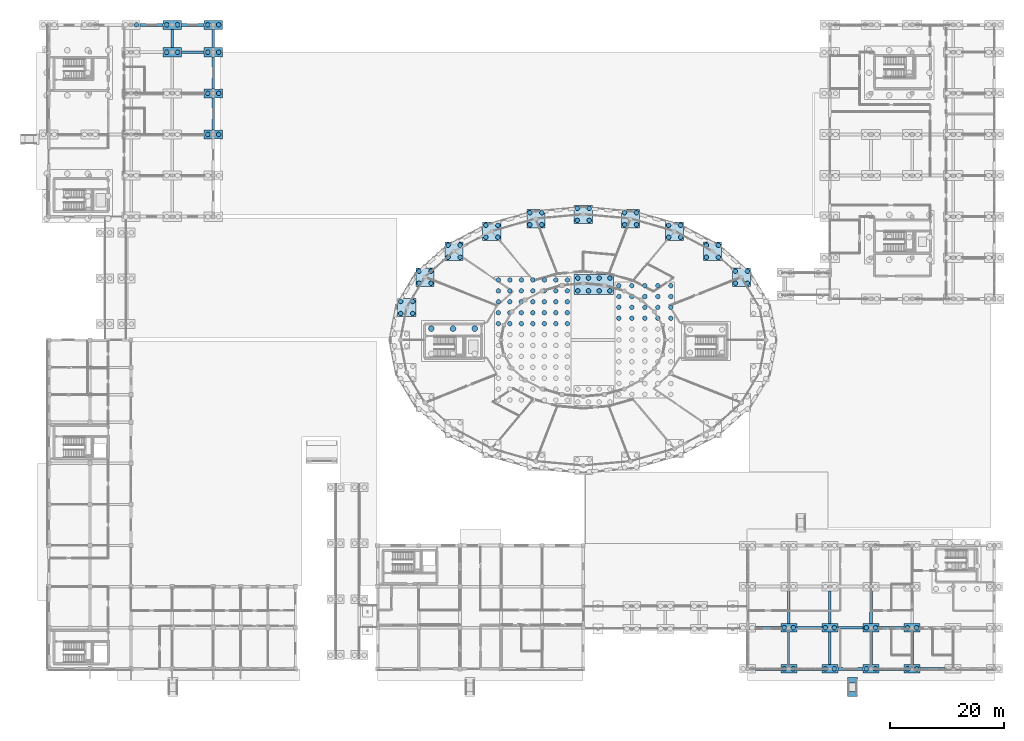
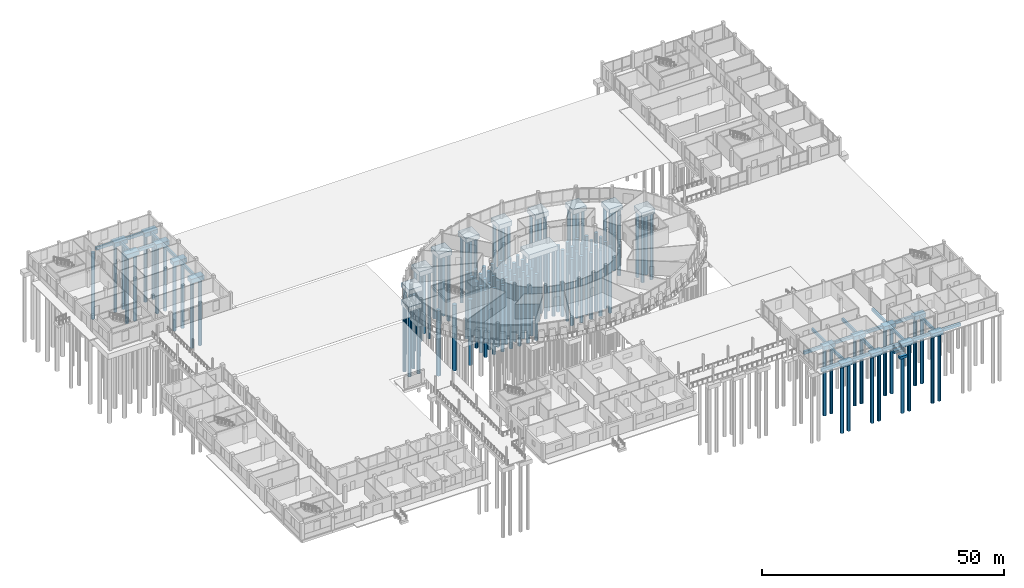
# One storey, part 3 of 98: 135 piles, 50 footings.
"""IFC4 building model written with IfcOpenShell, lengths in metres."""

import ifcopenshell
import ifcopenshell.guid

model = None  # the IFC model being written
_history = None  # IfcOwnerHistory: only IFC2X3 demands one
_inside = {}  # id of a spatial element -> (the spatial element, [elements in it])
_under = {}  # id of a project, library or spatial element -> (it, [spatial elements below it])
_declared = {}  # id of a project -> (the project, [libraries it declares])
_typed = {}  # id of a type object -> (the type object, [elements of that type])
_made_of = {}  # id of a material, layer set ... -> (it, [elements and type objects made of it])


def new_model(schema):
    """Start an empty IFC model of exactly this schema.

    Asked for "IFC4X3", IfcOpenShell would pick the latest addendum, in which some entities
    have other attributes; the version numbers below select the first issue.
    IFC2X3 requires an IfcOwnerHistory on every rooted entity: one is made here for all.
    """
    global model, _history
    if schema == "IFC4X3":
        model = ifcopenshell.file(schema_version=(4, 3, 0, 0))
    else:
        model = ifcopenshell.file(schema=schema)
    _inside.clear()
    _under.clear()
    _declared.clear()
    _typed.clear()
    _made_of.clear()
    _history = None
    if model.schema == "IFC2X3":
        org = make("IfcOrganization", Name="unknown")
        user = make(
            "IfcPersonAndOrganization",
            ThePerson=make("IfcPerson", FamilyName="unknown"),
            TheOrganization=org,
        )
        app = make(
            "IfcApplication",
            ApplicationDeveloper=org,
            Version="unknown",
            ApplicationFullName="unknown",
            ApplicationIdentifier="unknown",
        )
        _history = make(
            "IfcOwnerHistory",
            OwningUser=user,
            OwningApplication=app,
            ChangeAction="ADDED",
            CreationDate=0,
        )
    return model


def make(cls, **values):
    """One entity of the class cls with the attributes given. An attribute that is None is left unset."""
    return model.create_entity(
        cls, **{name: value for name, value in values.items() if value is not None}
    )


def rooted(cls, **values):
    """An entity with a GlobalId (a new one), such as an element, a storey or a relation."""
    return make(cls, GlobalId=ifcopenshell.guid.new(), OwnerHistory=_history, **values)


def si_unit(unit_type, name, prefix=None):
    """IfcSIUnit, for example si_unit("LENGTHUNIT", "METRE", prefix="MILLI")."""
    return make("IfcSIUnit", UnitType=unit_type, Prefix=prefix, Name=name)


def assignment(units):
    """IfcUnitAssignment: the units of a project."""
    return None if units is None else make("IfcUnitAssignment", Units=units)


def point(xyz):
    """IfcCartesianPoint."""
    return None if xyz is None else make("IfcCartesianPoint", Coordinates=xyz)


def direction(xyz):
    """IfcDirection."""
    return None if xyz is None else make("IfcDirection", DirectionRatios=xyz)


def frame(location, z_axis=None, x_axis=None):
    """IfcAxis2Placement3D, a coordinate frame: its origin and axes. An axis left out is left unset."""
    return make(
        "IfcAxis2Placement3D",
        Location=point(location),
        Axis=direction(z_axis),
        RefDirection=direction(x_axis),
    )


def frame_2d(location, x_axis=None):
    """IfcAxis2Placement2D, a coordinate frame in the plane: its origin and x axis."""
    return make(
        "IfcAxis2Placement2D", Location=point(location), RefDirection=direction(x_axis)
    )


def origin():
    """The frame at (0, 0, 0) with its axes left unset."""
    return frame((0.0, 0.0, 0.0))


def origin_2d():
    """The frame at (0, 0) in the plane with its x axis left unset."""
    return frame_2d((0.0, 0.0))


def place(relative_to, where):
    """IfcLocalPlacement: puts the frame where relative to a parent placement (None: the world)."""
    return make(
        "IfcLocalPlacement", PlacementRelTo=relative_to, RelativePlacement=where
    )


def context(
    kind, dimensions, precision=None, world=None, true_north=None, identifier=None
):
    """IfcGeometricRepresentationContext, for example the 3D "Model" context."""
    return make(
        "IfcGeometricRepresentationContext",
        ContextIdentifier=identifier,
        ContextType=kind,
        CoordinateSpaceDimension=dimensions,
        Precision=precision,
        WorldCoordinateSystem=world,
        TrueNorth=true_north,
    )


def subcontext(parent, identifier, kind, view, scale=None):
    """IfcGeometricRepresentationSubContext, for example "Body" below "Model"."""
    return make(
        "IfcGeometricRepresentationSubContext",
        ContextIdentifier=identifier,
        ContextType=kind,
        ParentContext=parent,
        TargetScale=scale,
        TargetView=view,
    )


def project(units=None, contexts=None):
    """IfcProject with its units and contexts."""
    return rooted(
        "IfcProject",
        Name="project",
        RepresentationContexts=contexts,
        UnitsInContext=assignment(units),
    )


def spatial(cls, under=None, at=None, **own):
    """A site, building, storey or space (cls), placed at a placement, below another one or the project."""
    s = rooted(cls, ObjectPlacement=at, **own)
    if under is not None:
        _under.setdefault(under.id(), (under, []))[1].append(s)
    return s


def profile(cls, at=None, kind="AREA", **sizes):
    """A parametric profile (cls). Its sizes go by their IFC names, for example OverallWidth=200.0."""
    return make(cls, ProfileType=kind, Position=at, **sizes)


def rectangle(**sizes):
    """IfcRectangleProfileDef."""
    return profile("IfcRectangleProfileDef", **sizes)


def circle(**sizes):
    """IfcCircleProfileDef."""
    return profile("IfcCircleProfileDef", **sizes)


def extrude(swept, where, along, depth):
    """IfcExtrudedAreaSolid: the profile swept, set in the frame where, extruded along a direction by depth."""
    return make(
        "IfcExtrudedAreaSolid",
        SweptArea=swept,
        Position=where,
        ExtrudedDirection=direction(along),
        Depth=depth,
    )


def shape(context_of_items, identifier, shape_type, items):
    """IfcShapeRepresentation: the items that make up one representation, for example the "Body"."""
    return make(
        "IfcShapeRepresentation",
        ContextOfItems=context_of_items,
        RepresentationIdentifier=identifier,
        RepresentationType=shape_type,
        Items=items,
    )


def material(Name=None, Category=None):
    """IfcMaterial."""
    return make("IfcMaterial", Name=Name, Category=Category)


def material_profile(
    of_material, cross_section, Name=None, Category=None, Priority=None
):
    """IfcMaterialProfile: a cross section and its material."""
    return make(
        "IfcMaterialProfile",
        Name=Name,
        Material=of_material,
        Profile=cross_section,
        Priority=Priority,
        Category=Category,
    )


def profile_set(profiles, Name=None, composite=None):
    """IfcMaterialProfileSet."""
    return make(
        "IfcMaterialProfileSet",
        Name=Name,
        MaterialProfiles=profiles,
        CompositeProfile=composite,
    )


def made_of(thing, what):
    """Note that an element or type object is made of a material, layer set ...; save() writes the relation."""
    if what is not None:
        _made_of.setdefault(what.id(), (what, []))[1].append(thing)
    return thing


def type_object(cls, material=None, **own):
    """A type object (cls), such as IfcWallType, which elements share."""
    return made_of(rooted(cls, **own), material)


def element(
    cls,
    number,
    at=None,
    inside=None,
    cuts=None,
    type_object=None,
    material=None,
    context=None,
    identifier="Body",
    shape_type=None,
    held_by="IfcProductDefinitionShape",
    body=None,
    shapes=None,
    **own,
):
    """One element of the class cls, such as IfcWall. Its Tag is "e" and its number.

    at: its placement. inside: the storey or other place that contains it. cuts: it is an
    opening in that element (IfcRelVoidsElement). A single representation is given by context,
    identifier, shape_type and body (its items); several are given by shapes. held_by: the class
    of the entity that holds the representations. save() writes the other relations.
    """
    e = rooted(cls, Tag="e%d" % number, ObjectPlacement=at, **own)
    if body is not None:
        shapes = [shape(context, identifier, shape_type, body)]
    if shapes is not None:
        e.Representation = make(held_by, Representations=shapes)
    if inside is not None:
        _inside.setdefault(inside.id(), (inside, []))[1].append(e)
    if cuts is not None:
        rooted(
            "IfcRelVoidsElement", RelatingBuildingElement=cuts, RelatedOpeningElement=e
        )
    if type_object is not None:
        _typed.setdefault(type_object.id(), (type_object, []))[1].append(e)
    return made_of(e, material)


def aggregate(whole, parts):
    """IfcRelAggregates: a whole, such as a stair, and the parts it consists of."""
    return rooted("IfcRelAggregates", RelatingObject=whole, RelatedObjects=parts)


def save(model, path):
    """Write the relations noted so far, then the file.

    IfcRelAggregates (storeys below a building ...), IfcRelContainedInSpatialStructure (elements
    in a storey), IfcRelDefinesByType, IfcRelAssociatesMaterial and IfcRelDeclares: one each for
    every whole, place, type object, material and project.
    """
    for whole, parts in _under.values():
        aggregate(whole, parts)
    for where, things in _inside.values():
        rooted(
            "IfcRelContainedInSpatialStructure",
            RelatedElements=things,
            RelatingStructure=where,
        )
    for kind, things in _typed.values():
        rooted("IfcRelDefinesByType", RelatedObjects=things, RelatingType=kind)
    for what, things in _made_of.values():
        rooted("IfcRelAssociatesMaterial", RelatedObjects=things, RelatingMaterial=what)
    for by, libraries in _declared.values():
        rooted("IfcRelDeclares", RelatingContext=by, RelatedDefinitions=libraries)
    model.write(path)


model = new_model("IFC4")

# Units and contexts
model_context = context("Model", 3, precision=1e-05, world=origin(), true_north=direction((0.0, 1.0)))
body_context = subcontext(model_context, "Body", "Model", "MODEL_VIEW")
ifc_project = project(units=[si_unit("LENGTHUNIT", "METRE"), si_unit("AREAUNIT", "SQUARE_METRE"), si_unit("VOLUMEUNIT", "CUBIC_METRE"), si_unit("PLANEANGLEUNIT", "RADIAN"), si_unit("MASSUNIT", "GRAM", prefix="KILO")], contexts=[model_context])

# Site, building, storey
site_placement = place(None, origin())
site = spatial("IfcSite", under=ifc_project, at=site_placement, CompositionType="ELEMENT")
building_placement = place(site_placement, origin())
building = spatial("IfcBuilding", under=site, at=building_placement, Name="Zornivar Specialist Clinic", CompositionType="ELEMENT")
storey_placement = place(building_placement, origin())
storey = spatial("IfcBuildingStorey", under=building, at=storey_placement, Name="L00", CompositionType="ELEMENT", Elevation=0.0)

# Footings
ifc_material_1 = material(Name="Concrete C30/37", Category="concrete")
ifc_material_profile_1 = material_profile(ifc_material_1, rectangle(XDim=0.449951171875, YDim=0.699951171875, at=origin_2d()), Name="RC 450x700")
ifc_profile_set_1 = profile_set([ifc_material_profile_1], Name="Concrete C30/37")
footing_type_1 = type_object("IfcFootingType", Name="FTG-GB-450x700", PredefinedType="FOOTING_BEAM", material=ifc_profile_set_1)
footing_1_placement = place(storey_placement, frame((21.60009765625, 108.800048828125, -0.72998046875), z_axis=(0.0, 1.0, 0.0), x_axis=(-1.0, 0.0, 0.0)))
element("IfcFooting", 1, at=footing_1_placement, inside=storey, type_object=footing_type_1, Name="gb:L00:y:216:1088", PredefinedType="FOOTING_BEAM", context=body_context, shape_type="SweptSolid", body=[
    extrude(rectangle(XDim=0.449951171875, YDim=0.699951171875, at=origin_2d()), origin(), (0.0, 0.0, 1.0), 3.199951171875),
])
footing_2_placement = place(storey_placement, frame((28.800048828125, 94.39990234375, -0.72998046875), z_axis=(0.0, 1.0, 0.0), x_axis=(-1.0, 0.0, 0.0)))
element("IfcFooting", 2, at=footing_2_placement, inside=storey, type_object=footing_type_1, Name="gb:L00:y:288:944", PredefinedType="FOOTING_BEAM", context=body_context, shape_type="SweptSolid", body=[
    extrude(rectangle(XDim=0.449951171875, YDim=0.699951171875, at=origin_2d()), origin(), (0.0, 0.0, 1.0), 5.60009765625),
])
footing_3_placement = place(storey_placement, frame((28.800048828125, 101.60009765625, -0.72998046875), z_axis=(0.0, 1.0, 0.0), x_axis=(-1.0, 0.0, 0.0)))
element("IfcFooting", 3, at=footing_3_placement, inside=storey, type_object=footing_type_1, Name="gb:L00:y:288:1016", PredefinedType="FOOTING_BEAM", context=body_context, shape_type="SweptSolid", body=[
    extrude(rectangle(XDim=0.449951171875, YDim=0.699951171875, at=origin_2d()), origin(), (0.0, 0.0, 1.0), 5.599853515625),
])
footing_4_placement = place(storey_placement, frame((28.800048828125, 108.800048828125, -0.72998046875), z_axis=(0.0, 1.0, 0.0), x_axis=(-1.0, 0.0, 0.0)))
element("IfcFooting", 4, at=footing_4_placement, inside=storey, type_object=footing_type_1, Name="gb:L00:y:288:1088", PredefinedType="FOOTING_BEAM", context=body_context, shape_type="SweptSolid", body=[
    extrude(rectangle(XDim=0.449951171875, YDim=0.699951171875, at=origin_2d()), origin(), (0.0, 0.0, 1.0), 3.199951171875),
])
for number, where, z_axis, x_axis, name in (
    (5, (129.60009765625, 0.75, -0.699951171875), (0.0, 1.0, 0.0), (-1.0, 0.0, 0.0), "gb:L00:y:1296:8"),
    (6, (129.60009765625, 7.949951171875, -0.699951171875), (0.0, 1.0, 0.0), (-1.0, 0.0, 0.0), "gb:L00:y:1296:80"),
    (7, (136.800048828125, 0.75, -0.699951171875), (0.0, 1.0, 0.0), (-1.0, 0.0, 0.0), "gb:L00:y:1368:8"),
    (8, (136.800048828125, 7.949951171875, -0.699951171875), (0.0, 1.0, 0.0), (-1.0, 0.0, 0.0), "gb:L00:y:1368:80"),
    (9, (144.0, 0.75, -0.699951171875), (0.0, 1.0, 0.0), (-1.0, 0.0, 0.0), "gb:L00:y:1440:8"),
    (10, (144.0, 7.949951171875, -0.699951171875), (0.0, 1.0, 0.0), (-1.0, 0.0, 0.0), "gb:L00:y:1440:80"),
    (11, (151.199951171875, 0.75, -0.699951171875), (0.0, 1.0, 0.0), (-1.0, 0.0, 0.0), "gb:L00:y:1512:8"),
):
    element("IfcFooting", number, at=place(storey_placement, frame(where, z_axis=z_axis, x_axis=x_axis)), inside=storey, type_object=footing_type_1, Name=name, PredefinedType="FOOTING_BEAM", context=body_context, shape_type="SweptSolid", body=[
        extrude(rectangle(XDim=0.449951171875, YDim=0.699951171875, at=origin_2d()), origin(), (0.0, 0.0, 1.0), 5.699951171875),
    ])
ifc_material_2 = material(Name="Concrete C30/37", Category="concrete")
ifc_material_profile_2 = material_profile(ifc_material_2, rectangle(XDim=0.5, YDim=0.75, at=origin_2d()), Name="RC 500x750")
ifc_profile_set_2 = profile_set([ifc_material_profile_2], Name="Concrete C30/37")
footing_type_2 = type_object("IfcFootingType", Name="FTG-GB-500x750", PredefinedType="FOOTING_BEAM", material=ifc_profile_set_2)
for number, where, z_axis, x_axis, name in (
    (12, (123.800048828125, 0.0, -0.72509765625), (1.0, 0.0, 0.0), (0.0, 1.0, 0.0), "gb:L00:x:0:1238"),
    (13, (131.0, 0.0, -0.72509765625), (1.0, 0.0, 0.0), (0.0, 1.0, 0.0), "gb:L00:x:0:1310"),
):
    element("IfcFooting", number, at=place(storey_placement, frame(where, z_axis=z_axis, x_axis=x_axis)), inside=storey, type_object=footing_type_2, Name=name, PredefinedType="FOOTING_BEAM", context=body_context, shape_type="SweptSolid", body=[
        extrude(rectangle(XDim=0.5, YDim=0.75, at=origin_2d()), origin(), (0.0, 0.0, 1.0), 4.39990234375),
    ])
for number, where, z_axis, x_axis, name in (
    (14, (138.199951171875, 0.0, -0.72509765625), (1.0, 0.0, 0.0), (0.0, 1.0, 0.0), "gb:L00:x:0:1382"),
    (15, (145.39990234375, 0.0, -0.72509765625), (1.0, 0.0, 0.0), (0.0, 1.0, 0.0), "gb:L00:x:0:1454"),
):
    element("IfcFooting", number, at=place(storey_placement, frame(where, z_axis=z_axis, x_axis=x_axis)), inside=storey, type_object=footing_type_2, Name=name, PredefinedType="FOOTING_BEAM", context=body_context, shape_type="SweptSolid", body=[
        extrude(rectangle(XDim=0.5, YDim=0.75, at=origin_2d()), origin(), (0.0, 0.0, 1.0), 4.400146484375),
    ])
for number, where, z_axis, x_axis, name in (
    (16, (152.60009765625, 0.0, -0.72509765625), (1.0, 0.0, 0.0), (0.0, 1.0, 0.0), "gb:L00:x:0:1526"),
    (17, (123.800048828125, 7.199951171875, -0.72509765625), (1.0, 0.0, 0.0), (0.0, 1.0, 0.0), "gb:L00:x:72:1238"),
    (18, (131.0, 7.199951171875, -0.72509765625), (1.0, 0.0, 0.0), (0.0, 1.0, 0.0), "gb:L00:x:72:1310"),
):
    element("IfcFooting", number, at=place(storey_placement, frame(where, z_axis=z_axis, x_axis=x_axis)), inside=storey, type_object=footing_type_2, Name=name, PredefinedType="FOOTING_BEAM", context=body_context, shape_type="SweptSolid", body=[
        extrude(rectangle(XDim=0.5, YDim=0.75, at=origin_2d()), origin(), (0.0, 0.0, 1.0), 4.39990234375),
    ])
for number, where, z_axis, x_axis, name in (
    (19, (138.199951171875, 7.199951171875, -0.72509765625), (1.0, 0.0, 0.0), (0.0, 1.0, 0.0), "gb:L00:x:72:1382"),
    (20, (145.39990234375, 7.199951171875, -0.72509765625), (1.0, 0.0, 0.0), (0.0, 1.0, 0.0), "gb:L00:x:72:1454"),
):
    element("IfcFooting", number, at=place(storey_placement, frame(where, z_axis=z_axis, x_axis=x_axis)), inside=storey, type_object=footing_type_2, Name=name, PredefinedType="FOOTING_BEAM", context=body_context, shape_type="SweptSolid", body=[
        extrude(rectangle(XDim=0.5, YDim=0.75, at=origin_2d()), origin(), (0.0, 0.0, 1.0), 4.400146484375),
    ])
ifc_material_3 = material(Name="Concrete C30/37", Category="concrete")
ifc_material_profile_3 = material_profile(ifc_material_3, rectangle(XDim=0.52001953125, YDim=0.75, at=origin_2d()), Name="RC 520x750")
ifc_profile_set_3 = profile_set([ifc_material_profile_3], Name="Concrete C30/37")
footing_type_3 = type_object("IfcFootingType", Name="FTG-GB-520x750", PredefinedType="FOOTING_BEAM", material=ifc_profile_set_3)
for number, where, z_axis, x_axis, name in (
    (21, (23.199951171875, 108.0, -0.7548828125), (1.0, 0.0, 0.0), (0.0, 1.0, 0.0), "gb:L00:x:1080:232"),
    (22, (16.0, 112.800048828125, -0.7548828125), (1.0, 0.0, 0.0), (0.0, 1.0, 0.0), "gb:L00:x:1128:160"),
    (23, (23.199951171875, 112.800048828125, -0.7548828125), (1.0, 0.0, 0.0), (0.0, 1.0, 0.0), "gb:L00:x:1128:232"),
):
    element("IfcFooting", number, at=place(storey_placement, frame(where, z_axis=z_axis, x_axis=x_axis)), inside=storey, type_object=footing_type_3, Name=name, PredefinedType="FOOTING_BEAM", context=body_context, shape_type="SweptSolid", body=[
        extrude(rectangle(XDim=0.52001953125, YDim=0.75, at=origin_2d()), origin(), (0.0, 0.0, 1.0), 4.0),
    ])
ifc_material_4 = material(Name="Concrete C30/37", Category="concrete")
footing_type_4 = type_object("IfcFootingType", Name="FTG-PC-2P-280x150x100", PredefinedType="PILE_CAP", material=ifc_material_4)
for number, where, z_axis, x_axis, name in (
    (24, (129.60009765625, 0.0, -1.35009765625), (0.0, 0.0, 1.0), (1.0, 0.0, 0.0), "ftg:V4:129600_0"),
    (25, (129.60009765625, 7.199951171875, -1.35009765625), (0.0, 0.0, 1.0), (1.0, 0.0, 0.0), "ftg:V4:129600_7200"),
    (26, (136.800048828125, 0.0, -1.35009765625), (0.0, 0.0, 1.0), (1.0, 0.0, 0.0), "ftg:V4:136800_0"),
    (27, (136.800048828125, 7.199951171875, -1.35009765625), (0.0, 0.0, 1.0), (1.0, 0.0, 0.0), "ftg:V4:136800_7200"),
    (28, (144.0, 0.0, -1.35009765625), (0.0, 0.0, 1.0), (1.0, 0.0, 0.0), "ftg:V4:144000_0"),
    (29, (144.0, 7.199951171875, -1.35009765625), (0.0, 0.0, 1.0), (1.0, 0.0, 0.0), "ftg:V4:144000_7200"),
    (30, (151.199951171875, 0.0, -1.35009765625), (0.0, 0.0, 1.0), (1.0, 0.0, 0.0), "ftg:V4:151200_0"),
    (31, (151.199951171875, 7.199951171875, -1.35009765625), (0.0, 0.0, 1.0), (1.0, 0.0, 0.0), "ftg:V4:151200_7200"),
):
    element("IfcFooting", number, at=place(storey_placement, frame(where, z_axis=z_axis, x_axis=x_axis)), inside=storey, type_object=footing_type_4, Name=name, PredefinedType="PILE_CAP", context=body_context, shape_type="SweptSolid", body=[
        extrude(rectangle(XDim=2.800048828125, YDim=1.5, at=origin_2d()), origin(), (0.0, 0.0, 1.0), 1.0),
    ])
ifc_material_5 = material(Name="Concrete C30/37", Category="concrete")
footing_type_5 = type_object("IfcFootingType", Name="FTG-PC-2P-320x160x110", PredefinedType="PILE_CAP", material=ifc_material_5)
for number, where, z_axis, x_axis, name in (
    (32, (21.60009765625, 108.0, -1.47998046875), (0.0, 0.0, 1.0), (1.0, 0.0, 0.0), "ftg:V5:21600_108000"),
    (33, (21.60009765625, 112.800048828125, -1.47998046875), (0.0, 0.0, 1.0), (1.0, 0.0, 0.0), "ftg:V5:21600_112800"),
    (34, (28.800048828125, 93.60009765625, -1.47998046875), (0.0, 0.0, 1.0), (1.0, 0.0, 0.0), "ftg:V5:28800_93600"),
    (35, (28.800048828125, 100.800048828125, -1.47998046875), (0.0, 0.0, 1.0), (1.0, 0.0, 0.0), "ftg:V5:28800_100800"),
    (36, (28.800048828125, 108.0, -1.47998046875), (0.0, 0.0, 1.0), (1.0, 0.0, 0.0), "ftg:V5:28800_108000"),
    (37, (28.800048828125, 112.800048828125, -1.47998046875), (0.0, 0.0, 1.0), (1.0, 0.0, 0.0), "ftg:V5:28800_112800"),
):
    element("IfcFooting", number, at=place(storey_placement, frame(where, z_axis=z_axis, x_axis=x_axis)), inside=storey, type_object=footing_type_5, Name=name, PredefinedType="PILE_CAP", context=body_context, shape_type="SweptSolid", body=[
        extrude(rectangle(XDim=3.199951171875, YDim=1.60009765625, at=origin_2d()), origin(), (0.0, 0.0, 1.0), 1.10009765625),
    ])
ifc_material_6 = material(Name="Concrete C30/37", Category="concrete")
footing_type_6 = type_object("IfcFootingType", Name="FTG-PC-4P-320x320x120", PredefinedType="PILE_CAP", material=ifc_material_6)
for number, where, z_axis, x_axis, name in (
    (38, (121.31298828125, 68.60009765625, -1.580078125), (0.0, 0.0, 1.0), (1.0, 0.0, 0.0), "ftg:V1:121313_68600"),
    (39, (116.22705078125, 73.156005859375, -1.580078125), (0.0, 0.0, 1.0), (1.0, 0.0, 0.0), "ftg:V1:116227_73156"),
    (40, (109.60009765625, 76.653076171875, -1.580078125), (0.0, 0.0, 1.0), (1.0, 0.0, 0.0), "ftg:V1:109600_76653"),
    (41, (101.882080078125, 78.85009765625, -1.580078125), (0.0, 0.0, 1.0), (1.0, 0.0, 0.0), "ftg:V1:101882_78850"),
    (42, (93.60009765625, 79.60009765625, -1.580078125), (0.0, 0.0, 1.0), (1.0, 0.0, 0.0), "ftg:V1:93600_79600"),
    (43, (85.318115234375, 78.85009765625, -1.580078125), (0.0, 0.0, 1.0), (1.0, 0.0, 0.0), "ftg:V1:85318_78850"),
    (44, (77.60009765625, 76.653076171875, -1.580078125), (0.0, 0.0, 1.0), (1.0, 0.0, 0.0), "ftg:V1:77600_76653"),
    (45, (70.972900390625, 73.156005859375, -1.580078125), (0.0, 0.0, 1.0), (1.0, 0.0, 0.0), "ftg:V1:70973_73156"),
    (46, (65.886962890625, 68.60009765625, -1.580078125), (0.0, 0.0, 1.0), (1.0, 0.0, 0.0), "ftg:V1:65887_68600"),
    (47, (62.68994140625, 63.2939453125, -1.580078125), (0.0, 0.0, 1.0), (1.0, 0.0, 0.0), "ftg:V1:62690_63294"),
):
    element("IfcFooting", number, at=place(storey_placement, frame(where, z_axis=z_axis, x_axis=x_axis)), inside=storey, type_object=footing_type_6, Name=name, PredefinedType="PILE_CAP", context=body_context, shape_type="SweptSolid", body=[
        extrude(rectangle(XDim=3.199951171875, YDim=3.199951171875, at=origin_2d()), origin(), (0.0, 0.0, 1.0), 1.199951171875),
    ])
ifc_material_7 = material(Name="Concrete C30/37", Category="concrete")
footing_type_7 = type_object("IfcFootingType", Name="FTG-PC-COMB-693x354x120", PredefinedType="PILE_CAP", material=ifc_material_7)
footing_5_placement = place(storey_placement, frame((95.464111328125, 67.33203125, -1.580078125), z_axis=(0.0, 0.0, 1.0), x_axis=(1.0, 0.0, 0.0)))
element("IfcFooting", 48, at=footing_5_placement, inside=storey, type_object=footing_type_7, Name="ftg:V1:97327_67163", PredefinedType="PILE_CAP", context=body_context, shape_type="SweptSolid", body=[
    extrude(rectangle(XDim=6.927001953125, YDim=3.537109375, at=origin_2d()), origin(), (0.0, 0.0, 1.0), 1.199951171875),
])
ifc_material_8 = material(Name="Concrete C30/37", Category="concrete")
ifc_material_profile_4 = material_profile(ifc_material_8, rectangle(XDim=0.89990234375, YDim=0.60009765625, at=origin_2d()), Name="RC 900x600")
ifc_profile_set_4 = profile_set([ifc_material_profile_4], Name="Concrete C30/37")
footing_type_8 = type_object("IfcFootingType", Name="FTG-STRIP-900x600", PredefinedType="STRIP_FOOTING", material=ifc_profile_set_4)
for number, where, z_axis, x_axis, name in (
    (49, (139.85009765625, -4.39990234375, -0.47998046875), (1.0, 0.0, 0.0), (0.0, 1.0, 0.0), "ftg:ramp:ped:L00:PR3:lo"),
    (50, (139.85009765625, -2.0, -0.4990234375), (1.0, 0.0, 0.0), (0.0, 1.0, 0.0), "ftg:ramp:ped:L00:PR3:hi"),
):
    element("IfcFooting", number, at=place(storey_placement, frame(where, z_axis=z_axis, x_axis=x_axis)), inside=storey, type_object=footing_type_8, Name=name, PredefinedType="STRIP_FOOTING", context=body_context, shape_type="SweptSolid", body=[
        extrude(rectangle(XDim=0.89990234375, YDim=0.60009765625, at=origin_2d()), origin(), (0.0, 0.0, 1.0), 1.7998046875),
    ])

# Piles
ifc_material_9 = material(Name="Concrete C30/37", Category="concrete")
ifc_material_profile_5 = material_profile(ifc_material_9, circle(Radius=0.5, at=origin_2d()), Name="PILE D1000")
ifc_profile_set_5 = profile_set([ifc_material_profile_5], Name="Concrete C30/37")
pile_type_1 = type_object("IfcPileType", Name="PILE-BORED-1000", PredefinedType="BORED", material=ifc_profile_set_5)
for number, where, z_axis, x_axis, name in (
    (51, (67.0, 59.60009765625, -1.64990234375), (0.0, 0.0, -1.0), (1.0, 0.0, 0.0), "pile:ftg:core:C3:3"),
    (52, (70.800048828125, 59.60009765625, -1.64990234375), (0.0, 0.0, -1.0), (1.0, 0.0, 0.0), "pile:ftg:core:C3:4"),
    (53, (74.60009765625, 59.60009765625, -1.64990234375), (0.0, 0.0, -1.0), (1.0, 0.0, 0.0), "pile:ftg:core:C3:5"),
):
    element("IfcPile", number, at=place(storey_placement, frame(where, z_axis=z_axis, x_axis=x_axis)), inside=storey, type_object=pile_type_1, Name=name, PredefinedType="BORED", context=body_context, shape_type="SweptSolid", body=[
        extrude(circle(Radius=0.5, at=origin_2d()), origin(), (0.0, 0.0, 1.0), 16.550048828125),
    ])
ifc_material_10 = material(Name="Concrete C30/37", Category="concrete")
ifc_material_profile_6 = material_profile(ifc_material_10, circle(Radius=0.39990234375, at=origin_2d()), Name="PILE D800")
ifc_profile_set_6 = profile_set([ifc_material_profile_6], Name="Concrete C30/37")
pile_type_2 = type_object("IfcPileType", Name="PILE-BORED-800", PredefinedType="BORED", material=ifc_profile_set_6)
for number, where, z_axis, x_axis, name in (
    (54, (128.800048828125, 0.0, -1.25), (0.0, 0.0, -1.0), (1.0, 0.0, 0.0), "pile:ftg:V4:129600_0:0"),
    (55, (130.39990234375, 0.0, -1.25), (0.0, 0.0, -1.0), (1.0, 0.0, 0.0), "pile:ftg:V4:129600_0:1"),
    (56, (128.800048828125, 7.199951171875, -1.25), (0.0, 0.0, -1.0), (1.0, 0.0, 0.0), "pile:ftg:V4:129600_7200:0"),
    (57, (130.39990234375, 7.199951171875, -1.25), (0.0, 0.0, -1.0), (1.0, 0.0, 0.0), "pile:ftg:V4:129600_7200:1"),
    (58, (136.0, 0.0, -1.25), (0.0, 0.0, -1.0), (1.0, 0.0, 0.0), "pile:ftg:V4:136800_0:0"),
    (59, (137.60009765625, 0.0, -1.25), (0.0, 0.0, -1.0), (1.0, 0.0, 0.0), "pile:ftg:V4:136800_0:1"),
    (60, (136.0, 7.199951171875, -1.25), (0.0, 0.0, -1.0), (1.0, 0.0, 0.0), "pile:ftg:V4:136800_7200:0"),
    (61, (137.60009765625, 7.199951171875, -1.25), (0.0, 0.0, -1.0), (1.0, 0.0, 0.0), "pile:ftg:V4:136800_7200:1"),
    (62, (143.199951171875, 0.0, -1.25), (0.0, 0.0, -1.0), (1.0, 0.0, 0.0), "pile:ftg:V4:144000_0:0"),
    (63, (144.800048828125, 0.0, -1.25), (0.0, 0.0, -1.0), (1.0, 0.0, 0.0), "pile:ftg:V4:144000_0:1"),
    (64, (143.199951171875, 7.199951171875, -1.25), (0.0, 0.0, -1.0), (1.0, 0.0, 0.0), "pile:ftg:V4:144000_7200:0"),
    (65, (144.800048828125, 7.199951171875, -1.25), (0.0, 0.0, -1.0), (1.0, 0.0, 0.0), "pile:ftg:V4:144000_7200:1"),
    (66, (150.39990234375, 0.0, -1.25), (0.0, 0.0, -1.0), (1.0, 0.0, 0.0), "pile:ftg:V4:151200_0:0"),
    (67, (152.0, 0.0, -1.25), (0.0, 0.0, -1.0), (1.0, 0.0, 0.0), "pile:ftg:V4:151200_0:1"),
    (68, (150.39990234375, 7.199951171875, -1.25), (0.0, 0.0, -1.0), (1.0, 0.0, 0.0), "pile:ftg:V4:151200_7200:0"),
    (69, (152.0, 7.199951171875, -1.25), (0.0, 0.0, -1.0), (1.0, 0.0, 0.0), "pile:ftg:V4:151200_7200:1"),
):
    element("IfcPile", number, at=place(storey_placement, frame(where, z_axis=z_axis, x_axis=x_axis)), inside=storey, type_object=pile_type_2, Name=name, PredefinedType="BORED", context=body_context, shape_type="SweptSolid", body=[
        extrude(circle(Radius=0.39990234375, at=origin_2d()), origin(), (0.0, 0.0, 1.0), 16.949951171875),
    ])
for number, where, z_axis, x_axis, name in (
    (70, (15.35009765625, 112.800048828125, -1.3798828125), (0.0, 0.0, -1.0), (1.0, 0.0, 0.0), "pile:ftg:V5:14400_112800:1"),
    (71, (20.64990234375, 108.0, -1.3798828125), (0.0, 0.0, -1.0), (1.0, 0.0, 0.0), "pile:ftg:V5:21600_108000:0"),
    (72, (22.550048828125, 108.0, -1.3798828125), (0.0, 0.0, -1.0), (1.0, 0.0, 0.0), "pile:ftg:V5:21600_108000:1"),
    (73, (20.64990234375, 112.800048828125, -1.3798828125), (0.0, 0.0, -1.0), (1.0, 0.0, 0.0), "pile:ftg:V5:21600_112800:0"),
    (74, (22.550048828125, 112.800048828125, -1.3798828125), (0.0, 0.0, -1.0), (1.0, 0.0, 0.0), "pile:ftg:V5:21600_112800:1"),
    (75, (27.85009765625, 93.60009765625, -1.3798828125), (0.0, 0.0, -1.0), (1.0, 0.0, 0.0), "pile:ftg:V5:28800_93600:0"),
    (76, (29.75, 93.60009765625, -1.3798828125), (0.0, 0.0, -1.0), (1.0, 0.0, 0.0), "pile:ftg:V5:28800_93600:1"),
    (77, (27.85009765625, 100.800048828125, -1.3798828125), (0.0, 0.0, -1.0), (1.0, 0.0, 0.0), "pile:ftg:V5:28800_100800:0"),
    (78, (29.75, 100.800048828125, -1.3798828125), (0.0, 0.0, -1.0), (1.0, 0.0, 0.0), "pile:ftg:V5:28800_100800:1"),
    (79, (27.85009765625, 108.0, -1.3798828125), (0.0, 0.0, -1.0), (1.0, 0.0, 0.0), "pile:ftg:V5:28800_108000:0"),
    (80, (29.75, 108.0, -1.3798828125), (0.0, 0.0, -1.0), (1.0, 0.0, 0.0), "pile:ftg:V5:28800_108000:1"),
    (81, (27.85009765625, 112.800048828125, -1.3798828125), (0.0, 0.0, -1.0), (1.0, 0.0, 0.0), "pile:ftg:V5:28800_112800:0"),
    (82, (29.75, 112.800048828125, -1.3798828125), (0.0, 0.0, -1.0), (1.0, 0.0, 0.0), "pile:ftg:V5:28800_112800:1"),
):
    element("IfcPile", number, at=place(storey_placement, frame(where, z_axis=z_axis, x_axis=x_axis)), inside=storey, type_object=pile_type_2, Name=name, PredefinedType="BORED", context=body_context, shape_type="SweptSolid", body=[
        extrude(circle(Radius=0.39990234375, at=origin_2d()), origin(), (0.0, 0.0, 1.0), 16.820068359375),
    ])
for number, where, z_axis, x_axis, name in (
    (83, (99.85009765625, 61.409912109375, -1.47998046875), (0.0, 0.0, -1.0), (1.0, 0.0, 0.0), "pile:ftg:V1:108000_57600:7"),
    (84, (99.85009765625, 63.31396484375, -1.47998046875), (0.0, 0.0, -1.0), (1.0, 0.0, 0.0), "pile:ftg:V1:108000_57600:8"),
    (85, (99.85009765625, 65.218994140625, -1.47998046875), (0.0, 0.0, -1.0), (1.0, 0.0, 0.0), "pile:ftg:V1:108000_57600:9"),
    (86, (99.85009765625, 67.1240234375, -1.47998046875), (0.0, 0.0, -1.0), (1.0, 0.0, 0.0), "pile:ftg:V1:108000_57600:10"),
    (87, (102.125, 61.409912109375, -1.47998046875), (0.0, 0.0, -1.0), (1.0, 0.0, 0.0), "pile:ftg:V1:108000_57600:18"),
    (88, (102.125, 63.31396484375, -1.47998046875), (0.0, 0.0, -1.0), (1.0, 0.0, 0.0), "pile:ftg:V1:108000_57600:19"),
    (89, (102.125, 65.218994140625, -1.47998046875), (0.0, 0.0, -1.0), (1.0, 0.0, 0.0), "pile:ftg:V1:108000_57600:20"),
    (90, (102.125, 67.1240234375, -1.47998046875), (0.0, 0.0, -1.0), (1.0, 0.0, 0.0), "pile:ftg:V1:108000_57600:21"),
    (91, (104.39990234375, 61.409912109375, -1.47998046875), (0.0, 0.0, -1.0), (1.0, 0.0, 0.0), "pile:ftg:V1:108000_57600:29"),
    (92, (104.39990234375, 63.31396484375, -1.47998046875), (0.0, 0.0, -1.0), (1.0, 0.0, 0.0), "pile:ftg:V1:108000_57600:30"),
    (93, (104.39990234375, 65.218994140625, -1.47998046875), (0.0, 0.0, -1.0), (1.0, 0.0, 0.0), "pile:ftg:V1:108000_57600:31"),
    (94, (104.39990234375, 67.1240234375, -1.47998046875), (0.0, 0.0, -1.0), (1.0, 0.0, 0.0), "pile:ftg:V1:108000_57600:32"),
    (95, (106.675048828125, 61.409912109375, -1.47998046875), (0.0, 0.0, -1.0), (1.0, 0.0, 0.0), "pile:ftg:V1:108000_57600:40"),
    (96, (106.675048828125, 63.31396484375, -1.47998046875), (0.0, 0.0, -1.0), (1.0, 0.0, 0.0), "pile:ftg:V1:108000_57600:41"),
    (97, (106.675048828125, 65.218994140625, -1.47998046875), (0.0, 0.0, -1.0), (1.0, 0.0, 0.0), "pile:ftg:V1:108000_57600:42"),
    (98, (106.675048828125, 67.1240234375, -1.47998046875), (0.0, 0.0, -1.0), (1.0, 0.0, 0.0), "pile:ftg:V1:108000_57600:43"),
    (99, (108.949951171875, 61.409912109375, -1.47998046875), (0.0, 0.0, -1.0), (1.0, 0.0, 0.0), "pile:ftg:V1:108000_57600:51"),
    (100, (108.949951171875, 63.31396484375, -1.47998046875), (0.0, 0.0, -1.0), (1.0, 0.0, 0.0), "pile:ftg:V1:108000_57600:52"),
    (101, (108.949951171875, 65.218994140625, -1.47998046875), (0.0, 0.0, -1.0), (1.0, 0.0, 0.0), "pile:ftg:V1:108000_57600:53"),
    (102, (108.949951171875, 67.1240234375, -1.47998046875), (0.0, 0.0, -1.0), (1.0, 0.0, 0.0), "pile:ftg:V1:108000_57600:54"),
    (103, (120.262939453125, 67.550048828125, -1.47998046875), (0.0, 0.0, -1.0), (1.0, 0.0, 0.0), "pile:ftg:V1:121313_68600:0"),
    (104, (122.363037109375, 67.550048828125, -1.47998046875), (0.0, 0.0, -1.0), (1.0, 0.0, 0.0), "pile:ftg:V1:121313_68600:1"),
    (105, (120.262939453125, 69.64990234375, -1.47998046875), (0.0, 0.0, -1.0), (1.0, 0.0, 0.0), "pile:ftg:V1:121313_68600:2"),
    (106, (122.363037109375, 69.64990234375, -1.47998046875), (0.0, 0.0, -1.0), (1.0, 0.0, 0.0), "pile:ftg:V1:121313_68600:3"),
    (107, (115.177001953125, 72.10595703125, -1.47998046875), (0.0, 0.0, -1.0), (1.0, 0.0, 0.0), "pile:ftg:V1:116227_73156:0"),
    (108, (117.277099609375, 72.10595703125, -1.47998046875), (0.0, 0.0, -1.0), (1.0, 0.0, 0.0), "pile:ftg:V1:116227_73156:1"),
    (109, (115.177001953125, 74.2060546875, -1.47998046875), (0.0, 0.0, -1.0), (1.0, 0.0, 0.0), "pile:ftg:V1:116227_73156:2"),
    (110, (117.277099609375, 74.2060546875, -1.47998046875), (0.0, 0.0, -1.0), (1.0, 0.0, 0.0), "pile:ftg:V1:116227_73156:3"),
    (111, (108.550048828125, 75.60302734375, -1.47998046875), (0.0, 0.0, -1.0), (1.0, 0.0, 0.0), "pile:ftg:V1:109600_76653:0"),
    (112, (110.64990234375, 75.60302734375, -1.47998046875), (0.0, 0.0, -1.0), (1.0, 0.0, 0.0), "pile:ftg:V1:109600_76653:1"),
    (113, (108.550048828125, 77.702880859375, -1.47998046875), (0.0, 0.0, -1.0), (1.0, 0.0, 0.0), "pile:ftg:V1:109600_76653:2"),
    (114, (110.64990234375, 77.702880859375, -1.47998046875), (0.0, 0.0, -1.0), (1.0, 0.0, 0.0), "pile:ftg:V1:109600_76653:3"),
    (115, (100.83203125, 77.800048828125, -1.47998046875), (0.0, 0.0, -1.0), (1.0, 0.0, 0.0), "pile:ftg:V1:101882_78850:0"),
    (116, (102.931884765625, 77.800048828125, -1.47998046875), (0.0, 0.0, -1.0), (1.0, 0.0, 0.0), "pile:ftg:V1:101882_78850:1"),
    (117, (100.83203125, 79.89990234375, -1.47998046875), (0.0, 0.0, -1.0), (1.0, 0.0, 0.0), "pile:ftg:V1:101882_78850:2"),
    (118, (102.931884765625, 79.89990234375, -1.47998046875), (0.0, 0.0, -1.0), (1.0, 0.0, 0.0), "pile:ftg:V1:101882_78850:3"),
    (119, (92.65087890625, 66.212890625, -1.47998046875), (0.0, 0.0, -1.0), (1.0, 0.0, 0.0), "pile:ftg:V1:97327_67163:0"),
    (120, (92.65087890625, 68.450927734375, -1.47998046875), (0.0, 0.0, -1.0), (1.0, 0.0, 0.0), "pile:ftg:V1:97327_67163:1"),
    (121, (94.52587890625, 66.212890625, -1.47998046875), (0.0, 0.0, -1.0), (1.0, 0.0, 0.0), "pile:ftg:V1:97327_67163:2"),
    (122, (94.52587890625, 68.450927734375, -1.47998046875), (0.0, 0.0, -1.0), (1.0, 0.0, 0.0), "pile:ftg:V1:97327_67163:3"),
    (123, (96.402099609375, 66.212890625, -1.47998046875), (0.0, 0.0, -1.0), (1.0, 0.0, 0.0), "pile:ftg:V1:97327_67163:4"),
    (124, (96.402099609375, 68.450927734375, -1.47998046875), (0.0, 0.0, -1.0), (1.0, 0.0, 0.0), "pile:ftg:V1:97327_67163:5"),
    (125, (98.277099609375, 66.212890625, -1.47998046875), (0.0, 0.0, -1.0), (1.0, 0.0, 0.0), "pile:ftg:V1:97327_67163:6"),
    (126, (98.277099609375, 68.450927734375, -1.47998046875), (0.0, 0.0, -1.0), (1.0, 0.0, 0.0), "pile:ftg:V1:97327_67163:7"),
    (127, (92.550048828125, 78.550048828125, -1.47998046875), (0.0, 0.0, -1.0), (1.0, 0.0, 0.0), "pile:ftg:V1:93600_79600:0"),
    (128, (94.64990234375, 78.550048828125, -1.47998046875), (0.0, 0.0, -1.0), (1.0, 0.0, 0.0), "pile:ftg:V1:93600_79600:1"),
    (129, (92.550048828125, 80.64990234375, -1.47998046875), (0.0, 0.0, -1.0), (1.0, 0.0, 0.0), "pile:ftg:V1:93600_79600:2"),
    (130, (94.64990234375, 80.64990234375, -1.47998046875), (0.0, 0.0, -1.0), (1.0, 0.0, 0.0), "pile:ftg:V1:93600_79600:3"),
    (131, (84.26806640625, 77.800048828125, -1.47998046875), (0.0, 0.0, -1.0), (1.0, 0.0, 0.0), "pile:ftg:V1:85318_78850:0"),
    (132, (86.367919921875, 77.800048828125, -1.47998046875), (0.0, 0.0, -1.0), (1.0, 0.0, 0.0), "pile:ftg:V1:85318_78850:1"),
    (133, (84.26806640625, 79.89990234375, -1.47998046875), (0.0, 0.0, -1.0), (1.0, 0.0, 0.0), "pile:ftg:V1:85318_78850:2"),
    (134, (86.367919921875, 79.89990234375, -1.47998046875), (0.0, 0.0, -1.0), (1.0, 0.0, 0.0), "pile:ftg:V1:85318_78850:3"),
    (135, (78.75, 60.467041015625, -1.47998046875), (0.0, 0.0, -1.0), (1.0, 0.0, 0.0), "pile:ftg:V1:89873_67163:7"),
    (136, (78.75, 62.37890625, -1.47998046875), (0.0, 0.0, -1.0), (1.0, 0.0, 0.0), "pile:ftg:V1:89873_67163:8"),
    (137, (78.75, 64.2900390625, -1.47998046875), (0.0, 0.0, -1.0), (1.0, 0.0, 0.0), "pile:ftg:V1:89873_67163:9"),
    (138, (78.75, 66.201904296875, -1.47998046875), (0.0, 0.0, -1.0), (1.0, 0.0, 0.0), "pile:ftg:V1:89873_67163:10"),
    (139, (78.75, 68.114013671875, -1.47998046875), (0.0, 0.0, -1.0), (1.0, 0.0, 0.0), "pile:ftg:V1:89873_67163:11"),
    (140, (80.761962890625, 60.467041015625, -1.47998046875), (0.0, 0.0, -1.0), (1.0, 0.0, 0.0), "pile:ftg:V1:89873_67163:19"),
    (141, (80.761962890625, 62.37890625, -1.47998046875), (0.0, 0.0, -1.0), (1.0, 0.0, 0.0), "pile:ftg:V1:89873_67163:20"),
    (142, (80.761962890625, 64.2900390625, -1.47998046875), (0.0, 0.0, -1.0), (1.0, 0.0, 0.0), "pile:ftg:V1:89873_67163:21"),
    (143, (80.761962890625, 66.201904296875, -1.47998046875), (0.0, 0.0, -1.0), (1.0, 0.0, 0.0), "pile:ftg:V1:89873_67163:22"),
    (144, (80.761962890625, 68.114013671875, -1.47998046875), (0.0, 0.0, -1.0), (1.0, 0.0, 0.0), "pile:ftg:V1:89873_67163:23"),
    (145, (82.77392578125, 60.467041015625, -1.47998046875), (0.0, 0.0, -1.0), (1.0, 0.0, 0.0), "pile:ftg:V1:89873_67163:31"),
    (146, (82.77392578125, 62.37890625, -1.47998046875), (0.0, 0.0, -1.0), (1.0, 0.0, 0.0), "pile:ftg:V1:89873_67163:32"),
    (147, (82.77392578125, 64.2900390625, -1.47998046875), (0.0, 0.0, -1.0), (1.0, 0.0, 0.0), "pile:ftg:V1:89873_67163:33"),
    (148, (82.77392578125, 66.201904296875, -1.47998046875), (0.0, 0.0, -1.0), (1.0, 0.0, 0.0), "pile:ftg:V1:89873_67163:34"),
    (149, (82.77392578125, 68.114013671875, -1.47998046875), (0.0, 0.0, -1.0), (1.0, 0.0, 0.0), "pile:ftg:V1:89873_67163:35"),
    (150, (84.785888671875, 60.467041015625, -1.47998046875), (0.0, 0.0, -1.0), (1.0, 0.0, 0.0), "pile:ftg:V1:89873_67163:43"),
    (151, (84.785888671875, 62.37890625, -1.47998046875), (0.0, 0.0, -1.0), (1.0, 0.0, 0.0), "pile:ftg:V1:89873_67163:44"),
    (152, (84.785888671875, 64.2900390625, -1.47998046875), (0.0, 0.0, -1.0), (1.0, 0.0, 0.0), "pile:ftg:V1:89873_67163:45"),
    (153, (84.785888671875, 66.201904296875, -1.47998046875), (0.0, 0.0, -1.0), (1.0, 0.0, 0.0), "pile:ftg:V1:89873_67163:46"),
    (154, (84.785888671875, 68.114013671875, -1.47998046875), (0.0, 0.0, -1.0), (1.0, 0.0, 0.0), "pile:ftg:V1:89873_67163:47"),
    (155, (86.798095703125, 60.467041015625, -1.47998046875), (0.0, 0.0, -1.0), (1.0, 0.0, 0.0), "pile:ftg:V1:89873_67163:55"),
    (156, (86.798095703125, 62.37890625, -1.47998046875), (0.0, 0.0, -1.0), (1.0, 0.0, 0.0), "pile:ftg:V1:89873_67163:56"),
    (157, (86.798095703125, 64.2900390625, -1.47998046875), (0.0, 0.0, -1.0), (1.0, 0.0, 0.0), "pile:ftg:V1:89873_67163:57"),
    (158, (86.798095703125, 66.201904296875, -1.47998046875), (0.0, 0.0, -1.0), (1.0, 0.0, 0.0), "pile:ftg:V1:89873_67163:58"),
    (159, (86.798095703125, 68.114013671875, -1.47998046875), (0.0, 0.0, -1.0), (1.0, 0.0, 0.0), "pile:ftg:V1:89873_67163:59"),
    (160, (88.81005859375, 60.467041015625, -1.47998046875), (0.0, 0.0, -1.0), (1.0, 0.0, 0.0), "pile:ftg:V1:89873_67163:67"),
    (161, (88.81005859375, 62.37890625, -1.47998046875), (0.0, 0.0, -1.0), (1.0, 0.0, 0.0), "pile:ftg:V1:89873_67163:68"),
    (162, (88.81005859375, 64.2900390625, -1.47998046875), (0.0, 0.0, -1.0), (1.0, 0.0, 0.0), "pile:ftg:V1:89873_67163:69"),
    (163, (88.81005859375, 66.201904296875, -1.47998046875), (0.0, 0.0, -1.0), (1.0, 0.0, 0.0), "pile:ftg:V1:89873_67163:70"),
    (164, (88.81005859375, 68.114013671875, -1.47998046875), (0.0, 0.0, -1.0), (1.0, 0.0, 0.0), "pile:ftg:V1:89873_67163:71"),
    (165, (90.822021484375, 60.467041015625, -1.47998046875), (0.0, 0.0, -1.0), (1.0, 0.0, 0.0), "pile:ftg:V1:89873_67163:79"),
    (166, (90.822021484375, 62.37890625, -1.47998046875), (0.0, 0.0, -1.0), (1.0, 0.0, 0.0), "pile:ftg:V1:89873_67163:80"),
    (167, (90.822021484375, 64.2900390625, -1.47998046875), (0.0, 0.0, -1.0), (1.0, 0.0, 0.0), "pile:ftg:V1:89873_67163:81"),
    (168, (90.822021484375, 66.201904296875, -1.47998046875), (0.0, 0.0, -1.0), (1.0, 0.0, 0.0), "pile:ftg:V1:89873_67163:82"),
    (169, (90.822021484375, 68.114013671875, -1.47998046875), (0.0, 0.0, -1.0), (1.0, 0.0, 0.0), "pile:ftg:V1:89873_67163:83"),
    (170, (76.550048828125, 75.60302734375, -1.47998046875), (0.0, 0.0, -1.0), (1.0, 0.0, 0.0), "pile:ftg:V1:77600_76653:0"),
    (171, (78.64990234375, 75.60302734375, -1.47998046875), (0.0, 0.0, -1.0), (1.0, 0.0, 0.0), "pile:ftg:V1:77600_76653:1"),
    (172, (76.550048828125, 77.702880859375, -1.47998046875), (0.0, 0.0, -1.0), (1.0, 0.0, 0.0), "pile:ftg:V1:77600_76653:2"),
    (173, (78.64990234375, 77.702880859375, -1.47998046875), (0.0, 0.0, -1.0), (1.0, 0.0, 0.0), "pile:ftg:V1:77600_76653:3"),
    (174, (69.923095703125, 72.10595703125, -1.47998046875), (0.0, 0.0, -1.0), (1.0, 0.0, 0.0), "pile:ftg:V1:70973_73156:0"),
    (175, (72.02294921875, 72.10595703125, -1.47998046875), (0.0, 0.0, -1.0), (1.0, 0.0, 0.0), "pile:ftg:V1:70973_73156:1"),
    (176, (69.923095703125, 74.2060546875, -1.47998046875), (0.0, 0.0, -1.0), (1.0, 0.0, 0.0), "pile:ftg:V1:70973_73156:2"),
    (177, (72.02294921875, 74.2060546875, -1.47998046875), (0.0, 0.0, -1.0), (1.0, 0.0, 0.0), "pile:ftg:V1:70973_73156:3"),
    (178, (64.8369140625, 67.550048828125, -1.47998046875), (0.0, 0.0, -1.0), (1.0, 0.0, 0.0), "pile:ftg:V1:65887_68600:0"),
    (179, (66.93701171875, 67.550048828125, -1.47998046875), (0.0, 0.0, -1.0), (1.0, 0.0, 0.0), "pile:ftg:V1:65887_68600:1"),
    (180, (64.8369140625, 69.64990234375, -1.47998046875), (0.0, 0.0, -1.0), (1.0, 0.0, 0.0), "pile:ftg:V1:65887_68600:2"),
    (181, (66.93701171875, 69.64990234375, -1.47998046875), (0.0, 0.0, -1.0), (1.0, 0.0, 0.0), "pile:ftg:V1:65887_68600:3"),
    (182, (61.639892578125, 62.243896484375, -1.47998046875), (0.0, 0.0, -1.0), (1.0, 0.0, 0.0), "pile:ftg:V1:62690_63294:0"),
    (183, (63.739990234375, 62.243896484375, -1.47998046875), (0.0, 0.0, -1.0), (1.0, 0.0, 0.0), "pile:ftg:V1:62690_63294:1"),
    (184, (61.639892578125, 64.343994140625, -1.47998046875), (0.0, 0.0, -1.0), (1.0, 0.0, 0.0), "pile:ftg:V1:62690_63294:2"),
    (185, (63.739990234375, 64.343994140625, -1.47998046875), (0.0, 0.0, -1.0), (1.0, 0.0, 0.0), "pile:ftg:V1:62690_63294:3"),
):
    element("IfcPile", number, at=place(storey_placement, frame(where, z_axis=z_axis, x_axis=x_axis)), inside=storey, type_object=pile_type_2, Name=name, PredefinedType="BORED", context=body_context, shape_type="SweptSolid", body=[
        extrude(circle(Radius=0.39990234375, at=origin_2d()), origin(), (0.0, 0.0, 1.0), 16.719970703125),
    ])

save(model, "model.ifc")
